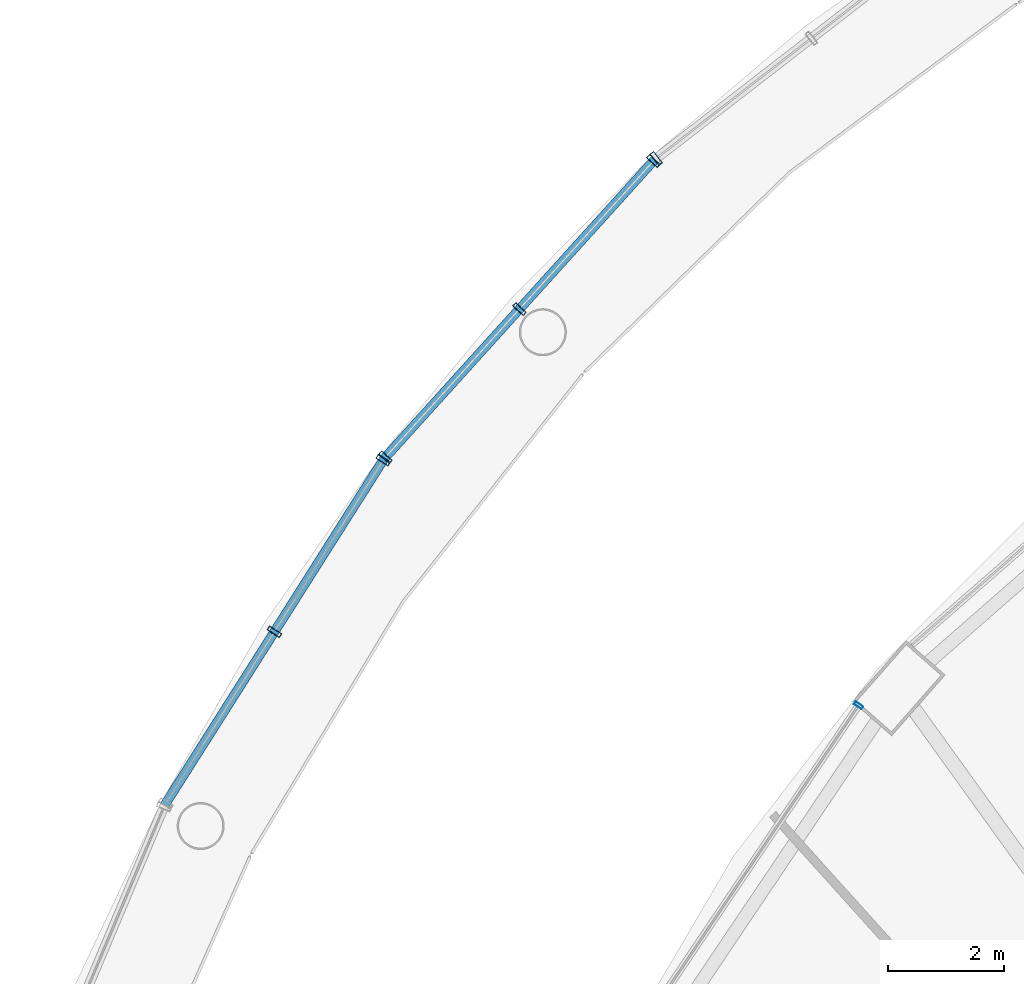
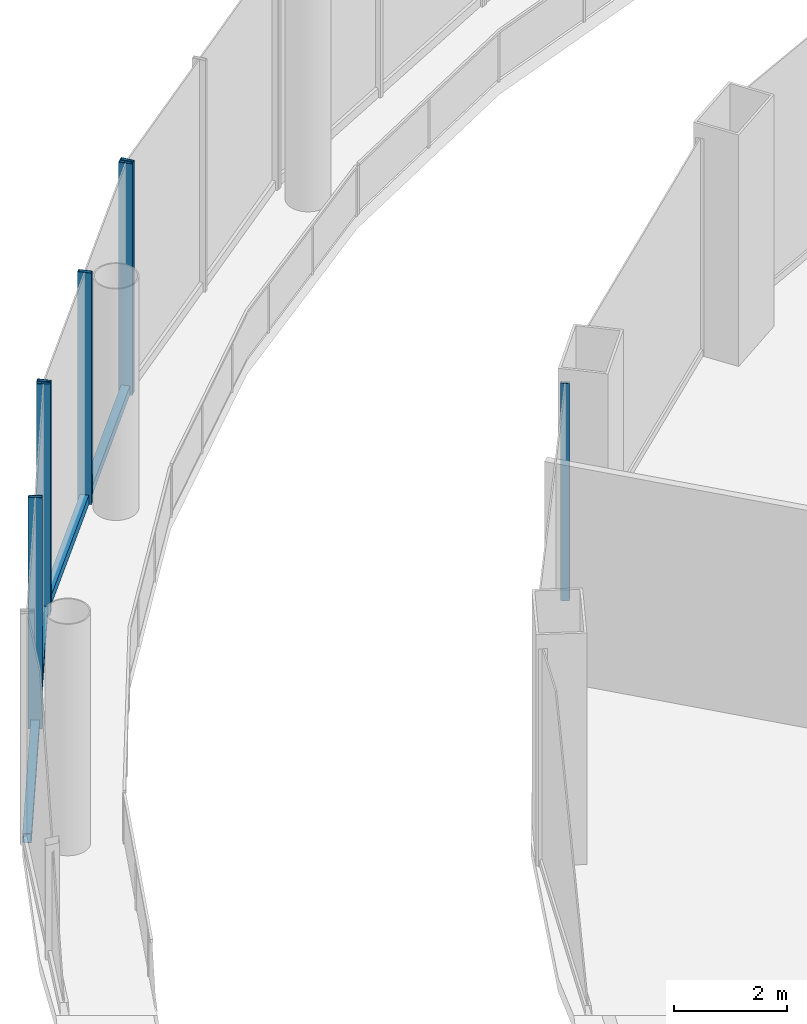
# One storey, part 28 of 47: 9 members, 4 elements without a shape of their own.
"""IFC4 building model written with IfcOpenShell, lengths in metres."""

from ifc_helpers import new_model, si_unit, direction, frame, origin, origin_2d, place, context, subcontext, project, spatial, hollow_rectangle, extrude, material, layer, layer_set, material_profile, profile_set, type_object, element, aggregate, save


model = new_model("IFC4")

# Units and contexts
model_context = context("Model", 3, precision=1e-05, world=origin(), true_north=direction((0.0, 1.0)))
body_context = subcontext(model_context, "Body", "Model", "MODEL_VIEW")
ifc_project = project(units=[si_unit("LENGTHUNIT", "METRE"), si_unit("AREAUNIT", "SQUARE_METRE"), si_unit("VOLUMEUNIT", "CUBIC_METRE"), si_unit("PLANEANGLEUNIT", "RADIAN"), si_unit("MASSUNIT", "GRAM", prefix="KILO")], contexts=[model_context])

# Site, building, storey
site_placement = place(None, origin())
site = spatial("IfcSite", under=ifc_project, at=site_placement, CompositionType="ELEMENT")
building_placement = place(site_placement, origin())
building = spatial("IfcBuilding", under=site, at=building_placement, Name="Nagisa Residences", CompositionType="ELEMENT")
storey_placement = place(building_placement, frame((0.0, 0.0, 17.0)))
storey = spatial("IfcBuildingStorey", under=building, at=storey_placement, Name="L03", CompositionType="ELEMENT", Elevation=17.0)

# Curtain wall, member
ifc_material_1 = material(Name="Stainless steel curtain wall system", Category="steel")
ifc_layer_1 = layer(ifc_material_1, 0.159912109375)
ifc_layer_set_1 = layer_set([ifc_layer_1], Name="CW3 CURTAIN WALL")
curtain_wall_type_1 = type_object("IfcCurtainWallType", Name="CW3 CURTAIN WALL", PredefinedType="NOTDEFINED", material=ifc_layer_set_1)
curtain_wall_1_placement = place(storey_placement, origin())
curtain_wall_1 = element("IfcCurtainWall", 1, at=curtain_wall_1_placement, inside=storey, type_object=curtain_wall_type_1, Name="cw:CW3:L03:12", PredefinedType="NOTDEFINED")
ifc_material_2 = material(Name="Stainless steel", Category="steel")
ifc_material_profile_1 = material_profile(ifc_material_2, hollow_rectangle(XDim=0.25, YDim=0.080078125, WallThickness=0.008056640625, at=origin_2d()), Name="CW3 MULLION 250x80")
ifc_profile_set_1 = profile_set([ifc_material_profile_1], Name="Stainless steel")
member_type_1 = type_object("IfcMemberType", Name="CW3 MULLION 250x80", PredefinedType="MULLION", material=ifc_profile_set_1)
member_1_placement = place(storey_placement, frame((-20.745361328125, 32.135009765625, 0.0), z_axis=(0.0, 0.0, 1.0), x_axis=(0.612034757172, -0.790830864353, 0.0)))
member_1 = element("IfcMember", 2, at=member_1_placement, type_object=member_type_1, Name="CW3 mullion", PredefinedType="MULLION", context=body_context, shape_type="SweptSolid", body=[
    extrude(hollow_rectangle(XDim=0.25, YDim=0.080078125, WallThickness=0.008056640625, at=origin_2d()), origin(), (0.0, 0.0, 1.0), 5.0),
])
aggregate(curtain_wall_1, [member_1])

# Curtain wall, members
curtain_wall_2_placement = place(storey_placement, origin())
curtain_wall_2 = element("IfcCurtainWall", 3, at=curtain_wall_2_placement, inside=storey, type_object=curtain_wall_type_1, Name="cw:CW3:L03:13", PredefinedType="NOTDEFINED")
member_2_placement = place(storey_placement, frame((-20.79345703125, 32.090576171875, 0.0), z_axis=(0.0, 0.0, 1.0), x_axis=(0.741535779122, -0.670913323971, 0.0)))
member_2 = element("IfcMember", 4, at=member_2_placement, type_object=member_type_1, Name="CW3 mullion", PredefinedType="MULLION", context=body_context, shape_type="SweptSolid", body=[
    extrude(hollow_rectangle(XDim=0.25, YDim=0.080078125, WallThickness=0.008056640625, at=origin_2d()), origin(), (0.0, 0.0, 1.0), 5.0),
])
member_3_placement = place(storey_placement, frame((-23.1083984375, 29.53173828125, 0.0), z_axis=(0.0, 0.0, 1.0), x_axis=(0.741535779122, -0.670913323971, 0.0)))
member_3 = element("IfcMember", 5, at=member_3_placement, type_object=member_type_1, Name="CW3 mullion", PredefinedType="MULLION", context=body_context, shape_type="SweptSolid", body=[
    extrude(hollow_rectangle(XDim=0.25, YDim=0.080078125, WallThickness=0.008056640625, at=origin_2d()), origin(), (0.0, 0.0, 1.0), 5.0),
])
member_4_placement = place(storey_placement, frame((-25.423583984375, 26.97314453125, 0.0), z_axis=(0.0, 0.0, 1.0), x_axis=(0.741535779122, -0.670913323971, 0.0)))
member_4 = element("IfcMember", 6, at=member_4_placement, type_object=member_type_1, Name="CW3 mullion", PredefinedType="MULLION", context=body_context, shape_type="SweptSolid", body=[
    extrude(hollow_rectangle(XDim=0.25, YDim=0.080078125, WallThickness=0.008056640625, at=origin_2d()), origin(), (0.0, 0.0, 1.0), 5.0),
])

curtain_wall_3_placement = place(storey_placement, origin())
curtain_wall_3 = element("IfcCurtainWall", 7, at=curtain_wall_3_placement, inside=storey, type_object=curtain_wall_type_1, Name="cw:CW3:L03:14", PredefinedType="NOTDEFINED")
member_5_placement = place(storey_placement, frame((-25.463623046875, 26.92041015625, 0.0), z_axis=(0.0, 0.0, 1.0), x_axis=(0.844747368001, -0.535165286856, 0.0)))
member_5 = element("IfcMember", 8, at=member_5_placement, type_object=member_type_1, Name="CW3 mullion", PredefinedType="MULLION", context=body_context, shape_type="SweptSolid", body=[
    extrude(hollow_rectangle(XDim=0.25, YDim=0.080078125, WallThickness=0.008056640625, at=origin_2d()), origin(), (0.0, 0.0, 1.0), 5.0),
])
member_6_placement = place(storey_placement, frame((-27.341796875, 23.955810546875, 0.0), z_axis=(0.0, 0.0, 1.0), x_axis=(0.844747368001, -0.535165286856, 0.0)))
member_6 = element("IfcMember", 9, at=member_6_placement, type_object=member_type_1, Name="CW3 mullion", PredefinedType="MULLION", context=body_context, shape_type="SweptSolid", body=[
    extrude(hollow_rectangle(XDim=0.25, YDim=0.080078125, WallThickness=0.008056640625, at=origin_2d()), origin(), (0.0, 0.0, 1.0), 5.0),
])

# Member
ifc_material_3 = material(Name="Stainless steel", Category="steel")
ifc_material_profile_2 = material_profile(ifc_material_3, hollow_rectangle(XDim=0.159912109375, YDim=0.199951171875, WallThickness=0.008056640625, at=origin_2d()), Name="CW3 TRANSOM 160x200")
ifc_profile_set_2 = profile_set([ifc_material_profile_2], Name="Stainless steel")
member_type_2 = type_object("IfcMemberType", Name="CW3 TRANSOM 160x200", PredefinedType="USERDEFINED", material=ifc_profile_set_2)
member_7_placement = place(storey_placement, frame((-20.7666015625, 32.1201171875, 0.10009765625), z_axis=(-0.670921565259, -0.741528322635, 0.0), x_axis=(0.741528322635, -0.670921565259, 0.0)))
member_7 = element("IfcMember", 10, at=member_7_placement, type_object=member_type_2, Name="CW3 transom", ObjectType="TRANSOM", PredefinedType="USERDEFINED", context=body_context, shape_type="SweptSolid", body=[
    extrude(hollow_rectangle(XDim=0.159912109375, YDim=0.199951171875, WallThickness=0.008056640625, at=origin_2d()), origin(), (0.0, 0.0, 1.0), 6.981201171875),
])

aggregate(curtain_wall_2, [member_2, member_3, member_4, member_7])

member_8_placement = place(storey_placement, frame((-25.442138671875, 26.954345703125, 0.10009765625), z_axis=(-0.535169889444, -0.844744452147, 0.0), x_axis=(0.844744452147, -0.535169889444, 0.0)))
member_8 = element("IfcMember", 11, at=member_8_placement, type_object=member_type_2, Name="CW3 transom", ObjectType="TRANSOM", PredefinedType="USERDEFINED", context=body_context, shape_type="SweptSolid", body=[
    extrude(hollow_rectangle(XDim=0.159912109375, YDim=0.199951171875, WallThickness=0.008056640625, at=origin_2d()), origin(), (0.0, 0.0, 1.0), 7.099365234375),
])

aggregate(curtain_wall_3, [member_5, member_6, member_8])

# Curtain wall, member
ifc_material_4 = material(Name="Stainless steel curtain wall system", Category="steel")
ifc_layer_2 = layer(ifc_material_4, 0.159912109375)
ifc_layer_set_2 = layer_set([ifc_layer_2], Name="CW6 CURTAIN WALL")
curtain_wall_type_2 = type_object("IfcCurtainWallType", Name="CW6 CURTAIN WALL", PredefinedType="NOTDEFINED", material=ifc_layer_set_2)
curtain_wall_4_placement = place(storey_placement, origin())
curtain_wall_4 = element("IfcCurtainWall", 12, at=curtain_wall_4_placement, inside=storey, type_object=curtain_wall_type_2, Name="cw:CW6:L03:18", PredefinedType="NOTDEFINED")
ifc_material_5 = material(Name="Stainless steel", Category="steel")
ifc_material_profile_3 = material_profile(ifc_material_5, hollow_rectangle(XDim=0.159912109375, YDim=0.06005859375, WallThickness=0.006103515625, at=origin_2d()), Name="CW6 MULLION 160x60")
ifc_profile_set_3 = profile_set([ifc_material_profile_3], Name="Stainless steel")
member_type_3 = type_object("IfcMemberType", Name="CW6 MULLION 160x60", PredefinedType="MULLION", material=ifc_profile_set_3)
member_9_placement = place(storey_placement, frame((-17.247802734375, 22.6845703125, 0.0), z_axis=(0.0, 0.0, 1.0), x_axis=(0.829110926393, -0.559084136544, 0.0)))
member_9 = element("IfcMember", 13, at=member_9_placement, type_object=member_type_3, Name="CW6 mullion", PredefinedType="MULLION", context=body_context, shape_type="SweptSolid", body=[
    extrude(hollow_rectangle(XDim=0.159912109375, YDim=0.06005859375, WallThickness=0.006103515625, at=origin_2d()), origin(), (0.0, 0.0, 1.0), 4.699951171875),
])
aggregate(curtain_wall_4, [member_9])

save(model, "model.ifc")
